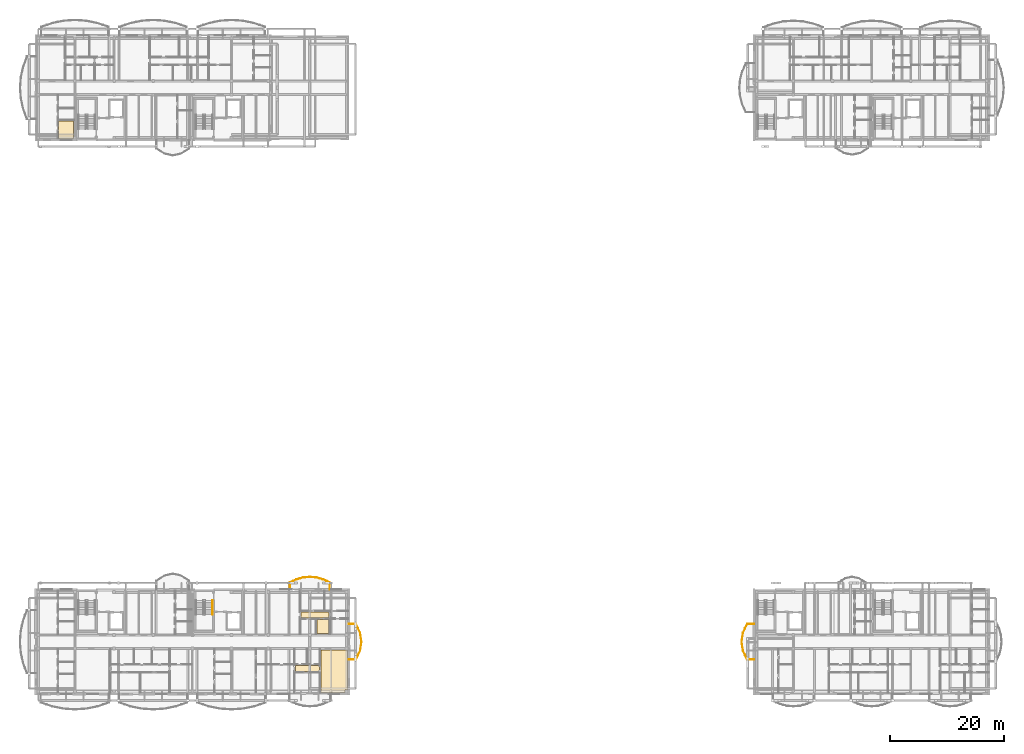
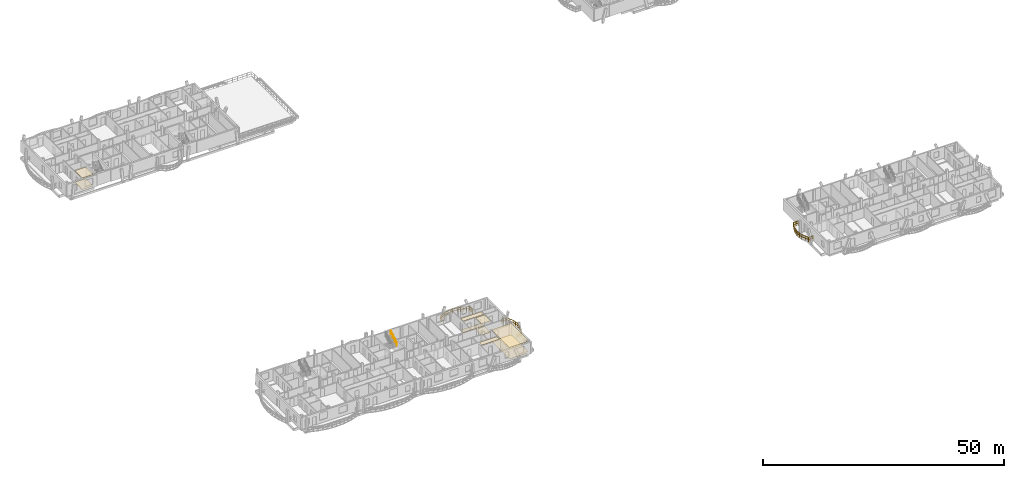
# One storey, part 35 of 42: 9 coverings, 4 railings.
"""IFC4 building model written with IfcOpenShell, lengths in metres."""

from ifc_helpers import new_model, si_unit, direction, frame, origin, origin_2d, place, context, subcontext, project, spatial, polyline, rectangle, outline, extrude, material, layer, layer_set, type_object, element, save


model = new_model("IFC4")

# Units and contexts
model_context = context("Model", 3, precision=1e-05, world=origin(), true_north=direction((0.0, 1.0)))
body_context = subcontext(model_context, "Body", "Model", "MODEL_VIEW")
ifc_project = project(units=[si_unit("LENGTHUNIT", "METRE"), si_unit("AREAUNIT", "SQUARE_METRE"), si_unit("VOLUMEUNIT", "CUBIC_METRE"), si_unit("PLANEANGLEUNIT", "RADIAN"), si_unit("MASSUNIT", "GRAM", prefix="KILO")], contexts=[model_context])

# Site, building, storey
site_placement = place(None, origin())
site = spatial("IfcSite", under=ifc_project, at=site_placement, CompositionType="ELEMENT")
building_placement = place(site_placement, origin())
building = spatial("IfcBuilding", under=site, at=building_placement, Name="Zavelmont Quarter", CompositionType="ELEMENT")
storey_placement = place(building_placement, frame((0.0, 0.0, 24.0)))
storey = spatial("IfcBuildingStorey", under=building, at=storey_placement, Name="L07", CompositionType="ELEMENT", Elevation=24.0)

# Coverings
ifc_material_1 = material(Name="Perforated acoustic gypsum board")
ifc_layer_1 = layer(ifc_material_1, 0.02490234375)
ifc_layer_set_1 = layer_set([ifc_layer_1], Name="Perforated acoustic gypsum board")
covering_type_1 = type_object("IfcCoveringType", Name="CV-CL01", PredefinedType="CEILING", material=ifc_layer_set_1)
covering_1_placement = place(storey_placement, frame((0.0, 0.0, 2.925048828125)))
element("IfcCovering", 1, at=covering_1_placement, inside=storey, type_object=covering_type_1, Name="L07 Living Dining acoustic ceiling", PredefinedType="CEILING", context=body_context, shape_type="SweptSolid", body=[
    extrude(outline(polyline([(50.22998046875, 7.77001953125), (54.469970703125, 7.77001953125), (54.469970703125, 7.7099609375), (54.969970703125, 7.7099609375), (54.969970703125, 0.72998046875), (54.469970703125, 0.72998046875), (54.469970703125, 0.280029296875), (50.22998046875, 0.280029296875), (50.22998046875, 7.77001953125)])), origin(), (0.0, 0.0, 1.0), 0.02490234375),
])
covering_2_placement = place(storey_placement, frame((0.0, 0.0, 2.925048828125)))
element("IfcCovering", 2, at=covering_2_placement, inside=storey, type_object=covering_type_1, Name="L07 Single Bedroom acoustic ceiling", PredefinedType="CEILING", context=body_context, shape_type="SweptSolid", body=[
    extrude(outline(polyline([(4.030029296875, 100.969970703125), (6.669921875, 100.969970703125), (6.669921875, 98.304931640625), (6.635009765625, 98.304931640625), (6.635009765625, 97.8798828125), (4.030029296875, 97.8798828125), (4.030029296875, 100.969970703125)])), origin(), (0.0, 0.0, 1.0), 0.02490234375),
])
ifc_material_2 = material(Name="Slatted European ash acoustic baffle ceiling")
ifc_layer_2 = layer(ifc_material_2, 0.0400390625)
ifc_layer_set_2 = layer_set([ifc_layer_2], Name="Slatted European ash acoustic baffle ceiling")
covering_type_2 = type_object("IfcCoveringType", Name="CV-CL02", PredefinedType="CEILING", material=ifc_layer_set_2)
covering_3_placement = place(storey_placement, frame((0.0, 0.0, 2.909912109375)))
element("IfcCovering", 3, at=covering_3_placement, inside=storey, type_object=covering_type_2, Name="L07 Apartment Hall acoustic ceiling", PredefinedType="CEILING", context=body_context, shape_type="SweptSolid", body=[
    extrude(outline(polyline([(45.72998046875, 5.02001953125), (49.969970703125, 5.02001953125), (49.969970703125, 3.929931640625), (45.72998046875, 3.929931640625), (45.72998046875, 5.02001953125)])), origin(), (0.0, 0.0, 1.0), 0.0400390625),
])
covering_4_placement = place(storey_placement, frame((0.0, 0.0, 2.909912109375)))
element("IfcCovering", 4, at=covering_4_placement, inside=storey, type_object=covering_type_2, Name="L07 Apartment Hall acoustic ceiling", PredefinedType="CEILING", context=body_context, shape_type="SweptSolid", body=[
    extrude(outline(polyline([(46.72998046875, 14.469970703125), (51.669921875, 14.469970703125), (51.669921875, 13.3798828125), (46.72998046875, 13.3798828125), (46.72998046875, 14.469970703125)])), origin(), (0.0, 0.0, 1.0), 0.0400390625),
])
ifc_material_3 = material(Name="Moisture-resistant painted gypsum ceiling")
ifc_layer_3 = layer(ifc_material_3, 0.02001953125)
ifc_layer_set_3 = layer_set([ifc_layer_3], Name="Moisture-resistant painted gypsum ceiling")
covering_type_3 = type_object("IfcCoveringType", Name="CV-CL04", PredefinedType="CEILING", material=ifc_layer_set_3)
covering_5_placement = place(storey_placement, frame((0.0, 0.0, 2.929931640625)))
element("IfcCovering", 5, at=covering_5_placement, inside=storey, type_object=covering_type_3, Name="L07 Bathroom acoustic ceiling", PredefinedType="CEILING", context=body_context, shape_type="SweptSolid", body=[
    extrude(outline(polyline([(49.530029296875, 13.1201171875), (51.669921875, 13.1201171875), (51.669921875, 10.6298828125), (49.530029296875, 10.6298828125), (49.530029296875, 13.1201171875)])), origin(), (0.0, 0.0, 1.0), 0.02001953125),
])
ifc_material_4 = material(Name="Engineered European oak parquet")
ifc_layer_4 = layer(ifc_material_4, 0.02197265625)
ifc_layer_set_4 = layer_set([ifc_layer_4], Name="Engineered European oak parquet")
covering_type_4 = type_object("IfcCoveringType", Name="CV-FL01", PredefinedType="FLOORING", material=ifc_layer_set_4)
covering_6_placement = place(storey_placement, origin())
element("IfcCovering", 6, at=covering_6_placement, inside=storey, type_object=covering_type_4, Name="L07 Living Dining floor finish", PredefinedType="FLOORING", context=body_context, shape_type="SweptSolid", body=[
    extrude(outline(polyline([(50.22998046875, 7.77001953125), (54.469970703125, 7.77001953125), (54.469970703125, 7.7099609375), (54.969970703125, 7.7099609375), (54.969970703125, 0.72998046875), (54.469970703125, 0.72998046875), (54.469970703125, 0.280029296875), (50.22998046875, 0.280029296875), (50.22998046875, 7.77001953125)])), origin(), (0.0, 0.0, 1.0), 0.02197265625),
])
covering_7_placement = place(storey_placement, origin())
element("IfcCovering", 7, at=covering_7_placement, inside=storey, type_object=covering_type_4, Name="L07 Single Bedroom floor finish", PredefinedType="FLOORING", context=body_context, shape_type="SweptSolid", body=[
    extrude(outline(polyline([(4.030029296875, 100.969970703125), (6.669921875, 100.969970703125), (6.669921875, 98.304931640625), (6.635009765625, 98.304931640625), (6.635009765625, 97.8798828125), (4.030029296875, 97.8798828125), (4.030029296875, 100.969970703125)])), origin(), (0.0, 0.0, 1.0), 0.02197265625),
])
ifc_material_5 = material(Name="Honed Belgian bluestone tile", Category="masonry")
ifc_layer_5 = layer(ifc_material_5, 0.030029296875)
ifc_layer_set_5 = layer_set([ifc_layer_5], Name="Honed Belgian bluestone tile")
covering_type_5 = type_object("IfcCoveringType", Name="CV-FL02", PredefinedType="FLOORING", material=ifc_layer_set_5)
covering_8_placement = place(storey_placement, origin())
element("IfcCovering", 8, at=covering_8_placement, inside=storey, type_object=covering_type_5, Name="L07 Apartment Hall floor finish", PredefinedType="FLOORING", context=body_context, shape_type="SweptSolid", body=[
    extrude(outline(polyline([(46.72998046875, 14.469970703125), (51.669921875, 14.469970703125), (51.669921875, 13.3798828125), (46.72998046875, 13.3798828125), (46.72998046875, 14.469970703125)])), origin(), (0.0, 0.0, 1.0), 0.030029296875),
])
ifc_material_6 = material(Name="Slip-resistant porcelain tile")
ifc_layer_6 = layer(ifc_material_6, 0.02587890625)
ifc_layer_set_6 = layer_set([ifc_layer_6], Name="Slip-resistant porcelain tile")
covering_type_6 = type_object("IfcCoveringType", Name="CV-FL04", PredefinedType="FLOORING", material=ifc_layer_set_6)
covering_9_placement = place(storey_placement, origin())
element("IfcCovering", 9, at=covering_9_placement, inside=storey, type_object=covering_type_6, Name="L07 Bathroom floor finish", PredefinedType="FLOORING", context=body_context, shape_type="SweptSolid", body=[
    extrude(outline(polyline([(49.530029296875, 13.1201171875), (51.669921875, 13.1201171875), (51.669921875, 10.6298828125), (49.530029296875, 10.6298828125), (49.530029296875, 13.1201171875)])), origin(), (0.0, 0.0, 1.0), 0.02587890625),
])

# Railings
ifc_material_7 = material(Name="Powder-coated steel and tempered double safety glass", Category="steel")
railing_type_1 = type_object("IfcRailingType", Name="RL-BAL1", PredefinedType="BALUSTRADE", material=ifc_material_7)
railing_1_placement = place(storey_placement, frame((55.219970703125, 6.074951171875, 0.0)))
element("IfcRailing", 10, at=railing_1_placement, inside=storey, type_object=railing_type_1, Name="L07 Block A curved balcony guard RL-BAL1", PredefinedType="BALUSTRADE", context=body_context, shape_type="SweptSolid", body=[
    extrude(rectangle(XDim=0.048095703125, YDim=0.048095703125, at=origin_2d()), frame((0.0, 0.0, 1.076171875), z_axis=(1.0, 0.0, 0.0), x_axis=(0.0, 1.0, 0.0)), (0.0, 0.0, 1.0), 1.217529296875),
    extrude(rectangle(XDim=0.048095703125, YDim=0.048095703125, at=origin_2d()), frame((0.0, 0.0, 0.550048828125), z_axis=(1.0, 0.0, 0.0), x_axis=(0.0, 1.0, 0.0)), (0.0, 0.0, 1.0), 1.217529296875),
    extrude(rectangle(XDim=0.048095703125, YDim=0.048095703125, at=origin_2d()), frame((1.217529296875, 0.0, 1.076171875), z_axis=(0.423040473535, 0.906110786688, 0.0), x_axis=(-0.906110786688, 0.423040473535, 0.0)), (0.0, 0.0, 1.0), 1.724365234375),
    extrude(rectangle(XDim=0.048095703125, YDim=0.048095703125, at=origin_2d()), frame((1.217529296875, 0.0, 0.550048828125), z_axis=(0.423040473535, 0.906110786688, 0.0), x_axis=(-0.906110786688, 0.423040473535, 0.0)), (0.0, 0.0, 1.0), 1.724365234375),
    extrude(rectangle(XDim=0.048095703125, YDim=0.048095703125, at=origin_2d()), frame((1.947021484375, 1.5625, 1.076171875), z_axis=(0.15362325711, 0.988129492969, 0.0), x_axis=(-0.988129492969, 0.15362325711, 0.0)), (0.0, 0.0, 1.0), 1.581298828125),
    extrude(rectangle(XDim=0.048095703125, YDim=0.048095703125, at=origin_2d()), frame((1.947021484375, 1.5625, 0.550048828125), z_axis=(0.15362325711, 0.988129492969, 0.0), x_axis=(-0.988129492969, 0.15362325711, 0.0)), (0.0, 0.0, 1.0), 1.581298828125),
    extrude(rectangle(XDim=0.048095703125, YDim=0.048095703125, at=origin_2d()), frame((2.18994140625, 3.125, 1.076171875), z_axis=(-0.15362325711, 0.988129492969, 0.0), x_axis=(-0.988129492969, -0.15362325711, 0.0)), (0.0, 0.0, 1.0), 1.581298828125),
    extrude(rectangle(XDim=0.048095703125, YDim=0.048095703125, at=origin_2d()), frame((2.18994140625, 3.125, 0.550048828125), z_axis=(-0.15362325711, 0.988129492969, 0.0), x_axis=(-0.988129492969, -0.15362325711, 0.0)), (0.0, 0.0, 1.0), 1.581298828125),
    extrude(rectangle(XDim=0.048095703125, YDim=0.048095703125, at=origin_2d()), frame((1.947021484375, 4.6875, 1.076171875), z_axis=(-0.422986209147, 0.906136119395, 0.0), x_axis=(-0.906136119395, -0.422986209147, 0.0)), (0.0, 0.0, 1.0), 1.724609375),
    extrude(rectangle(XDim=0.048095703125, YDim=0.048095703125, at=origin_2d()), frame((1.947021484375, 4.6875, 0.550048828125), z_axis=(-0.422986209147, 0.906136119395, 0.0), x_axis=(-0.906136119395, -0.422986209147, 0.0)), (0.0, 0.0, 1.0), 1.724609375),
    extrude(rectangle(XDim=0.048095703125, YDim=0.048095703125, at=origin_2d()), frame((1.217529296875, 6.250244140625, 1.076171875), z_axis=(-1.0, 0.0, 0.0), x_axis=(0.0, -1.0, 0.0)), (0.0, 0.0, 1.0), 1.217529296875),
    extrude(rectangle(XDim=0.048095703125, YDim=0.048095703125, at=origin_2d()), frame((1.217529296875, 6.250244140625, 0.550048828125), z_axis=(-1.0, 0.0, 0.0), x_axis=(0.0, -1.0, 0.0)), (0.0, 0.0, 1.0), 1.217529296875),
    extrude(rectangle(XDim=0.0419921875, YDim=0.0419921875, at=origin_2d()), origin(), (0.0, 0.0, 1.0), 1.052001953125),
    extrude(rectangle(XDim=0.0419921875, YDim=0.0419921875, at=origin_2d()), frame((0.60888671875, 0.0, 0.0)), (0.0, 0.0, 1.0), 1.052001953125),
    extrude(rectangle(XDim=0.0419921875, YDim=0.0419921875, at=origin_2d()), frame((1.217529296875, 0.0, 0.0)), (0.0, 0.0, 1.0), 1.052001953125),
    extrude(rectangle(XDim=0.0419921875, YDim=0.0419921875, at=origin_2d()), frame((1.582275390625, 0.78125, 0.0)), (0.0, 0.0, 1.0), 1.052001953125),
    extrude(rectangle(XDim=0.0419921875, YDim=0.0419921875, at=origin_2d()), frame((1.947021484375, 1.5625, 0.0)), (0.0, 0.0, 1.0), 1.052001953125),
    extrude(rectangle(XDim=0.0419921875, YDim=0.0419921875, at=origin_2d()), frame((2.068359375, 2.34375, 0.0)), (0.0, 0.0, 1.0), 1.052001953125),
    extrude(rectangle(XDim=0.0419921875, YDim=0.0419921875, at=origin_2d()), frame((2.18994140625, 3.125, 0.0)), (0.0, 0.0, 1.0), 1.052001953125),
    extrude(rectangle(XDim=0.0419921875, YDim=0.0419921875, at=origin_2d()), frame((2.068359375, 3.90625, 0.0)), (0.0, 0.0, 1.0), 1.052001953125),
    extrude(rectangle(XDim=0.0419921875, YDim=0.0419921875, at=origin_2d()), frame((1.947021484375, 4.6875, 0.0)), (0.0, 0.0, 1.0), 1.052001953125),
    extrude(rectangle(XDim=0.0419921875, YDim=0.0419921875, at=origin_2d()), frame((1.582275390625, 5.46875, 0.0)), (0.0, 0.0, 1.0), 1.052001953125),
    extrude(rectangle(XDim=0.0419921875, YDim=0.0419921875, at=origin_2d()), frame((1.217529296875, 6.250244140625, 0.0)), (0.0, 0.0, 1.0), 1.052001953125),
    extrude(rectangle(XDim=0.0419921875, YDim=0.0419921875, at=origin_2d()), frame((0.60888671875, 6.250244140625, 0.0)), (0.0, 0.0, 1.0), 1.052001953125),
    extrude(rectangle(XDim=0.0419921875, YDim=0.0419921875, at=origin_2d()), frame((0.0, 6.250244140625, 0.0)), (0.0, 0.0, 1.0), 1.052001953125),
])
railing_2_placement = place(storey_placement, frame((51.802490234375, 18.419921875, 0.0)))
element("IfcRailing", 11, at=railing_2_placement, inside=storey, type_object=railing_type_1, Name="L07 Block A curved balcony guard RL-BAL1", PredefinedType="BALUSTRADE", context=body_context, shape_type="SweptSolid", body=[
    extrude(rectangle(XDim=0.048095703125, YDim=0.048095703125, at=origin_2d()), frame((0.0, 0.0, 1.076171875), z_axis=(0.0, 1.0, 0.0), x_axis=(-1.0, 0.0, 0.0)), (0.0, 0.0, 1.0), 1.2177734375),
    extrude(rectangle(XDim=0.048095703125, YDim=0.048095703125, at=origin_2d()), frame((0.0, 0.0, 0.550048828125), z_axis=(0.0, 1.0, 0.0), x_axis=(-1.0, 0.0, 0.0)), (0.0, 0.0, 1.0), 1.2177734375),
    extrude(rectangle(XDim=0.048095703125, YDim=0.048095703125, at=origin_2d()), frame((0.0, 1.2177734375, 1.076171875), z_axis=(-0.907603537804, 0.419828319871, 0.0), x_axis=(-0.419828319871, -0.907603537804, 0.0)), (0.0, 0.0, 1.0), 1.286376953125),
    extrude(rectangle(XDim=0.048095703125, YDim=0.048095703125, at=origin_2d()), frame((0.0, 1.2177734375, 0.550048828125), z_axis=(-0.907603537804, 0.419828319871, 0.0), x_axis=(-0.419828319871, -0.907603537804, 0.0)), (0.0, 0.0, 1.0), 1.286376953125),
    extrude(rectangle(XDim=0.048095703125, YDim=0.048095703125, at=origin_2d()), frame((-1.16748046875, 1.7578125, 1.076171875), z_axis=(-0.96353522785, 0.267581510369, 0.0), x_axis=(-0.267581510369, -0.96353522785, 0.0)), (0.0, 0.0, 1.0), 1.211669921875),
    extrude(rectangle(XDim=0.048095703125, YDim=0.048095703125, at=origin_2d()), frame((-1.16748046875, 1.7578125, 0.550048828125), z_axis=(-0.96353522785, 0.267581510369, 0.0), x_axis=(-0.267581510369, -0.96353522785, 0.0)), (0.0, 0.0, 1.0), 1.211669921875),
    extrude(rectangle(XDim=0.048095703125, YDim=0.048095703125, at=origin_2d()), frame((-2.3349609375, 2.08203125, 1.076171875), z_axis=(-0.995736424935, 0.092244089554, 0.0), x_axis=(-0.092244089554, -0.995736424935, 0.0)), (0.0, 0.0, 1.0), 1.17236328125),
    extrude(rectangle(XDim=0.048095703125, YDim=0.048095703125, at=origin_2d()), frame((-2.3349609375, 2.08203125, 0.550048828125), z_axis=(-0.995736424935, 0.092244089554, 0.0), x_axis=(-0.092244089554, -0.995736424935, 0.0)), (0.0, 0.0, 1.0), 1.17236328125),
    extrude(rectangle(XDim=0.048095703125, YDim=0.048095703125, at=origin_2d()), frame((-3.50244140625, 2.190185546875, 1.076171875), z_axis=(-0.995736424935, -0.092244089554, 0.0), x_axis=(0.092244089554, -0.995736424935, 0.0)), (0.0, 0.0, 1.0), 1.17236328125),
    extrude(rectangle(XDim=0.048095703125, YDim=0.048095703125, at=origin_2d()), frame((-3.50244140625, 2.190185546875, 0.550048828125), z_axis=(-0.995736424935, -0.092244089554, 0.0), x_axis=(0.092244089554, -0.995736424935, 0.0)), (0.0, 0.0, 1.0), 1.17236328125),
    extrude(rectangle(XDim=0.048095703125, YDim=0.048095703125, at=origin_2d()), frame((-4.669921875, 2.08203125, 1.076171875), z_axis=(-0.96353522785, -0.267581510369, 0.0), x_axis=(0.267581510369, -0.96353522785, 0.0)), (0.0, 0.0, 1.0), 1.211669921875),
    extrude(rectangle(XDim=0.048095703125, YDim=0.048095703125, at=origin_2d()), frame((-4.669921875, 2.08203125, 0.550048828125), z_axis=(-0.96353522785, -0.267581510369, 0.0), x_axis=(0.267581510369, -0.96353522785, 0.0)), (0.0, 0.0, 1.0), 1.211669921875),
    extrude(rectangle(XDim=0.048095703125, YDim=0.048095703125, at=origin_2d()), frame((-5.83740234375, 1.7578125, 1.076171875), z_axis=(-0.907603537804, -0.419828319871, 0.0), x_axis=(0.419828319871, -0.907603537804, 0.0)), (0.0, 0.0, 1.0), 1.286376953125),
    extrude(rectangle(XDim=0.048095703125, YDim=0.048095703125, at=origin_2d()), frame((-5.83740234375, 1.7578125, 0.550048828125), z_axis=(-0.907603537804, -0.419828319871, 0.0), x_axis=(0.419828319871, -0.907603537804, 0.0)), (0.0, 0.0, 1.0), 1.286376953125),
    extrude(rectangle(XDim=0.048095703125, YDim=0.048095703125, at=origin_2d()), frame((-7.0048828125, 1.2177734375, 1.076171875), z_axis=(0.0, -1.0, 0.0), x_axis=(1.0, 0.0, 0.0)), (0.0, 0.0, 1.0), 1.2177734375),
    extrude(rectangle(XDim=0.048095703125, YDim=0.048095703125, at=origin_2d()), frame((-7.0048828125, 1.2177734375, 0.550048828125), z_axis=(0.0, -1.0, 0.0), x_axis=(1.0, 0.0, 0.0)), (0.0, 0.0, 1.0), 1.2177734375),
    extrude(rectangle(XDim=0.0419921875, YDim=0.0419921875, at=origin_2d()), origin(), (0.0, 0.0, 1.0), 1.052001953125),
    extrude(rectangle(XDim=0.0419921875, YDim=0.0419921875, at=origin_2d()), frame((0.0, 0.60888671875, 0.0)), (0.0, 0.0, 1.0), 1.052001953125),
    extrude(rectangle(XDim=0.0419921875, YDim=0.0419921875, at=origin_2d()), frame((0.0, 1.2177734375, 0.0)), (0.0, 0.0, 1.0), 1.052001953125),
    extrude(rectangle(XDim=0.0419921875, YDim=0.0419921875, at=origin_2d()), frame((-0.583740234375, 1.48779296875, 0.0)), (0.0, 0.0, 1.0), 1.052001953125),
    extrude(rectangle(XDim=0.0419921875, YDim=0.0419921875, at=origin_2d()), frame((-1.16748046875, 1.7578125, 0.0)), (0.0, 0.0, 1.0), 1.052001953125),
    extrude(rectangle(XDim=0.0419921875, YDim=0.0419921875, at=origin_2d()), frame((-1.751220703125, 1.919921875, 0.0)), (0.0, 0.0, 1.0), 1.052001953125),
    extrude(rectangle(XDim=0.0419921875, YDim=0.0419921875, at=origin_2d()), frame((-2.3349609375, 2.08203125, 0.0)), (0.0, 0.0, 1.0), 1.052001953125),
    extrude(rectangle(XDim=0.0419921875, YDim=0.0419921875, at=origin_2d()), frame((-3.50244140625, 2.190185546875, 0.0)), (0.0, 0.0, 1.0), 1.052001953125),
    extrude(rectangle(XDim=0.0419921875, YDim=0.0419921875, at=origin_2d()), frame((-4.669921875, 2.08203125, 0.0)), (0.0, 0.0, 1.0), 1.052001953125),
    extrude(rectangle(XDim=0.0419921875, YDim=0.0419921875, at=origin_2d()), frame((-5.253662109375, 1.919921875, 0.0)), (0.0, 0.0, 1.0), 1.052001953125),
    extrude(rectangle(XDim=0.0419921875, YDim=0.0419921875, at=origin_2d()), frame((-5.83740234375, 1.7578125, 0.0)), (0.0, 0.0, 1.0), 1.052001953125),
    extrude(rectangle(XDim=0.0419921875, YDim=0.0419921875, at=origin_2d()), frame((-6.421142578125, 1.48779296875, 0.0)), (0.0, 0.0, 1.0), 1.052001953125),
    extrude(rectangle(XDim=0.0419921875, YDim=0.0419921875, at=origin_2d()), frame((-7.0048828125, 1.2177734375, 0.0)), (0.0, 0.0, 1.0), 1.052001953125),
    extrude(rectangle(XDim=0.0419921875, YDim=0.0419921875, at=origin_2d()), frame((-7.0048828125, 0.60888671875, 0.0)), (0.0, 0.0, 1.0), 1.052001953125),
    extrude(rectangle(XDim=0.0419921875, YDim=0.0419921875, at=origin_2d()), frame((-7.0048828125, 0.0, 0.0)), (0.0, 0.0, 1.0), 1.052001953125),
])
railing_3_placement = place(storey_placement, frame((126.580078125, 12.3251953125, 0.0)))
element("IfcRailing", 12, at=railing_3_placement, inside=storey, type_object=railing_type_1, Name="L07 Block D curved balcony guard RL-BAL1", PredefinedType="BALUSTRADE", context=body_context, shape_type="SweptSolid", body=[
    extrude(rectangle(XDim=0.048095703125, YDim=0.048095703125, at=origin_2d()), frame((0.0, 0.0, 1.076171875), z_axis=(-1.0, 0.0, 0.0), x_axis=(0.0, -1.0, 0.0)), (0.0, 0.0, 1.0), 1.2177734375),
    extrude(rectangle(XDim=0.048095703125, YDim=0.048095703125, at=origin_2d()), frame((0.0, 0.0, 0.550048828125), z_axis=(-1.0, 0.0, 0.0), x_axis=(0.0, -1.0, 0.0)), (0.0, 0.0, 1.0), 1.2177734375),
    extrude(rectangle(XDim=0.048095703125, YDim=0.048095703125, at=origin_2d()), frame((-1.2177734375, 0.0, 1.076171875), z_axis=(-0.422869964891, -0.906190373373, 0.0), x_axis=(0.906190373373, -0.422869964891, 0.0)), (0.0, 0.0, 1.0), 1.724609375),
    extrude(rectangle(XDim=0.048095703125, YDim=0.048095703125, at=origin_2d()), frame((-1.2177734375, 0.0, 0.550048828125), z_axis=(-0.422869964891, -0.906190373373, 0.0), x_axis=(0.906190373373, -0.422869964891, 0.0)), (0.0, 0.0, 1.0), 1.724609375),
    extrude(rectangle(XDim=0.048095703125, YDim=0.048095703125, at=origin_2d()), frame((-1.947021484375, -1.562744140625, 1.076171875), z_axis=(-0.153774003235, -0.98810604488, 0.0), x_axis=(0.98810604488, -0.153774003235, 0.0)), (0.0, 0.0, 1.0), 1.581298828125),
    extrude(rectangle(XDim=0.048095703125, YDim=0.048095703125, at=origin_2d()), frame((-1.947021484375, -1.562744140625, 0.550048828125), z_axis=(-0.153774003235, -0.98810604488, 0.0), x_axis=(0.98810604488, -0.153774003235, 0.0)), (0.0, 0.0, 1.0), 1.581298828125),
    extrude(rectangle(XDim=0.048095703125, YDim=0.048095703125, at=origin_2d()), frame((-2.190185546875, -3.125244140625, 1.076171875), z_axis=(0.153774003235, -0.98810604488, 0.0), x_axis=(0.98810604488, 0.153774003235, 0.0)), (0.0, 0.0, 1.0), 1.581298828125),
    extrude(rectangle(XDim=0.048095703125, YDim=0.048095703125, at=origin_2d()), frame((-2.190185546875, -3.125244140625, 0.550048828125), z_axis=(0.153774003235, -0.98810604488, 0.0), x_axis=(0.98810604488, 0.153774003235, 0.0)), (0.0, 0.0, 1.0), 1.581298828125),
    extrude(rectangle(XDim=0.048095703125, YDim=0.048095703125, at=origin_2d()), frame((-1.947021484375, -4.687744140625, 1.076171875), z_axis=(0.422924220863, -0.906165053071, 0.0), x_axis=(0.906165053071, 0.422924220863, 0.0)), (0.0, 0.0, 1.0), 1.724365234375),
    extrude(rectangle(XDim=0.048095703125, YDim=0.048095703125, at=origin_2d()), frame((-1.947021484375, -4.687744140625, 0.550048828125), z_axis=(0.422924220863, -0.906165053071, 0.0), x_axis=(0.906165053071, 0.422924220863, 0.0)), (0.0, 0.0, 1.0), 1.724365234375),
    extrude(rectangle(XDim=0.048095703125, YDim=0.048095703125, at=origin_2d()), frame((-1.2177734375, -6.250244140625, 1.076171875), z_axis=(1.0, 0.0, 0.0), x_axis=(0.0, 1.0, 0.0)), (0.0, 0.0, 1.0), 1.2177734375),
    extrude(rectangle(XDim=0.048095703125, YDim=0.048095703125, at=origin_2d()), frame((-1.2177734375, -6.250244140625, 0.550048828125), z_axis=(1.0, 0.0, 0.0), x_axis=(0.0, 1.0, 0.0)), (0.0, 0.0, 1.0), 1.2177734375),
    extrude(rectangle(XDim=0.0419921875, YDim=0.0419921875, at=origin_2d()), origin(), (0.0, 0.0, 1.0), 1.052001953125),
    extrude(rectangle(XDim=0.0419921875, YDim=0.0419921875, at=origin_2d()), frame((-0.60888671875, 0.0, 0.0)), (0.0, 0.0, 1.0), 1.052001953125),
    extrude(rectangle(XDim=0.0419921875, YDim=0.0419921875, at=origin_2d()), frame((-1.2177734375, 0.0, 0.0)), (0.0, 0.0, 1.0), 1.052001953125),
    extrude(rectangle(XDim=0.0419921875, YDim=0.0419921875, at=origin_2d()), frame((-1.58251953125, -0.78125, 0.0)), (0.0, 0.0, 1.0), 1.052001953125),
    extrude(rectangle(XDim=0.0419921875, YDim=0.0419921875, at=origin_2d()), frame((-1.947021484375, -1.562744140625, 0.0)), (0.0, 0.0, 1.0), 1.052001953125),
    extrude(rectangle(XDim=0.0419921875, YDim=0.0419921875, at=origin_2d()), frame((-2.068603515625, -2.343994140625, 0.0)), (0.0, 0.0, 1.0), 1.052001953125),
    extrude(rectangle(XDim=0.0419921875, YDim=0.0419921875, at=origin_2d()), frame((-2.190185546875, -3.125244140625, 0.0)), (0.0, 0.0, 1.0), 1.052001953125),
    extrude(rectangle(XDim=0.0419921875, YDim=0.0419921875, at=origin_2d()), frame((-2.068603515625, -3.906494140625, 0.0)), (0.0, 0.0, 1.0), 1.052001953125),
    extrude(rectangle(XDim=0.0419921875, YDim=0.0419921875, at=origin_2d()), frame((-1.947021484375, -4.687744140625, 0.0)), (0.0, 0.0, 1.0), 1.052001953125),
    extrude(rectangle(XDim=0.0419921875, YDim=0.0419921875, at=origin_2d()), frame((-1.58251953125, -5.468994140625, 0.0)), (0.0, 0.0, 1.0), 1.052001953125),
    extrude(rectangle(XDim=0.0419921875, YDim=0.0419921875, at=origin_2d()), frame((-1.2177734375, -6.250244140625, 0.0)), (0.0, 0.0, 1.0), 1.052001953125),
    extrude(rectangle(XDim=0.0419921875, YDim=0.0419921875, at=origin_2d()), frame((-0.60888671875, -6.250244140625, 0.0)), (0.0, 0.0, 1.0), 1.052001953125),
    extrude(rectangle(XDim=0.0419921875, YDim=0.0419921875, at=origin_2d()), frame((0.0, -6.250244140625, 0.0)), (0.0, 0.0, 1.0), 1.052001953125),
])
ifc_material_8 = material(Name="Brushed stainless-steel wall handrail", Category="steel")
railing_type_2 = type_object("IfcRailingType", Name="RL-HND1", PredefinedType="HANDRAIL", material=ifc_material_8)
railing_4_placement = place(storey_placement, frame((31.14990234375, 13.969970703125, 1.77783203125)))
element("IfcRailing", 13, at=railing_4_placement, inside=storey, type_object=railing_type_2, Name="L07 ST02 stair handrail 2", PredefinedType="HANDRAIL", context=body_context, shape_type="SweptSolid", body=[
    extrude(rectangle(XDim=0.048095703125, YDim=0.048095703125, at=origin_2d()), frame((0.0, 0.0, 0.8759765625), z_axis=(0.0, 0.867490628297, 0.497453525283), x_axis=(-1.0, 0.0, 0.0)), (0.0, 0.0, 1.0), 2.85888671875),
    extrude(rectangle(XDim=0.0419921875, YDim=0.0419921875, at=origin_2d()), origin(), (0.0, 0.0, 1.0), 0.851806640625),
    extrude(rectangle(XDim=0.0419921875, YDim=0.0419921875, at=origin_2d()), frame((0.0, 0.82666015625, 0.47412109375)), (0.0, 0.0, 1.0), 0.851806640625),
    extrude(rectangle(XDim=0.0419921875, YDim=0.0419921875, at=origin_2d()), frame((0.0, 1.6533203125, 0.947998046875)), (0.0, 0.0, 1.0), 0.851806640625),
    extrude(rectangle(XDim=0.0419921875, YDim=0.0419921875, at=origin_2d()), frame((0.0, 2.47998046875, 1.422119140625)), (0.0, 0.0, 1.0), 0.851806640625),
])

save(model, "model.ifc")
